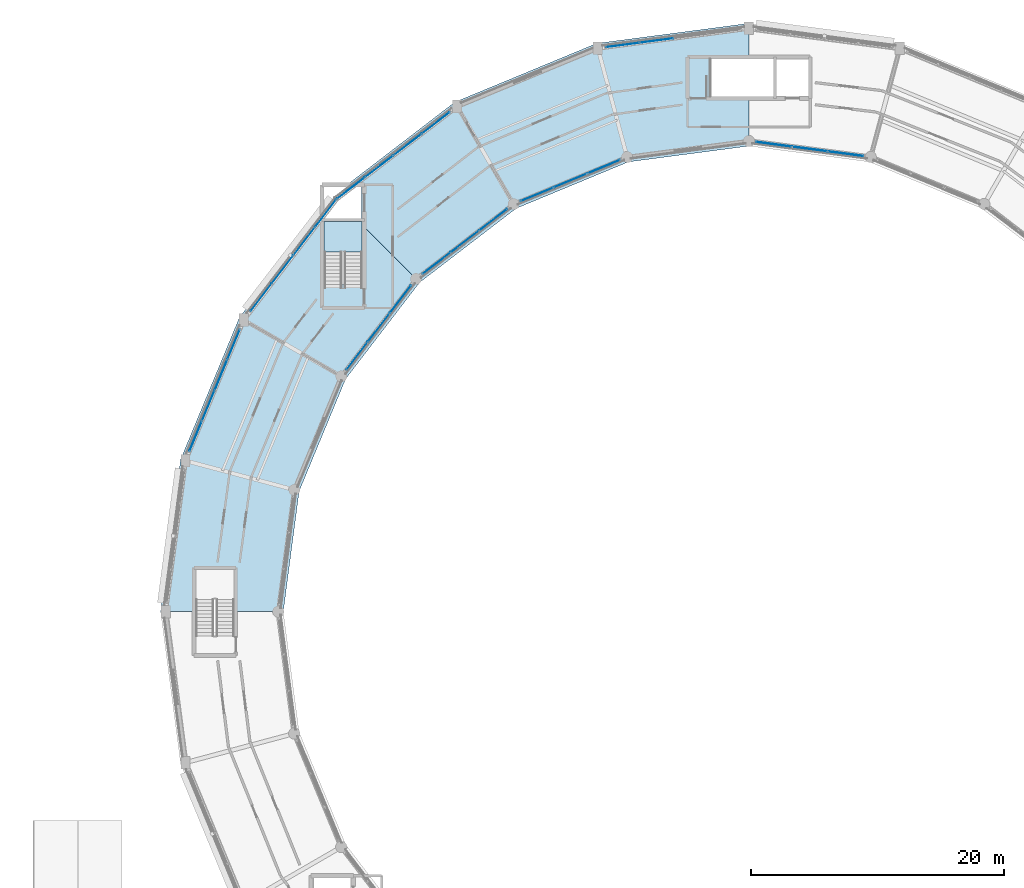
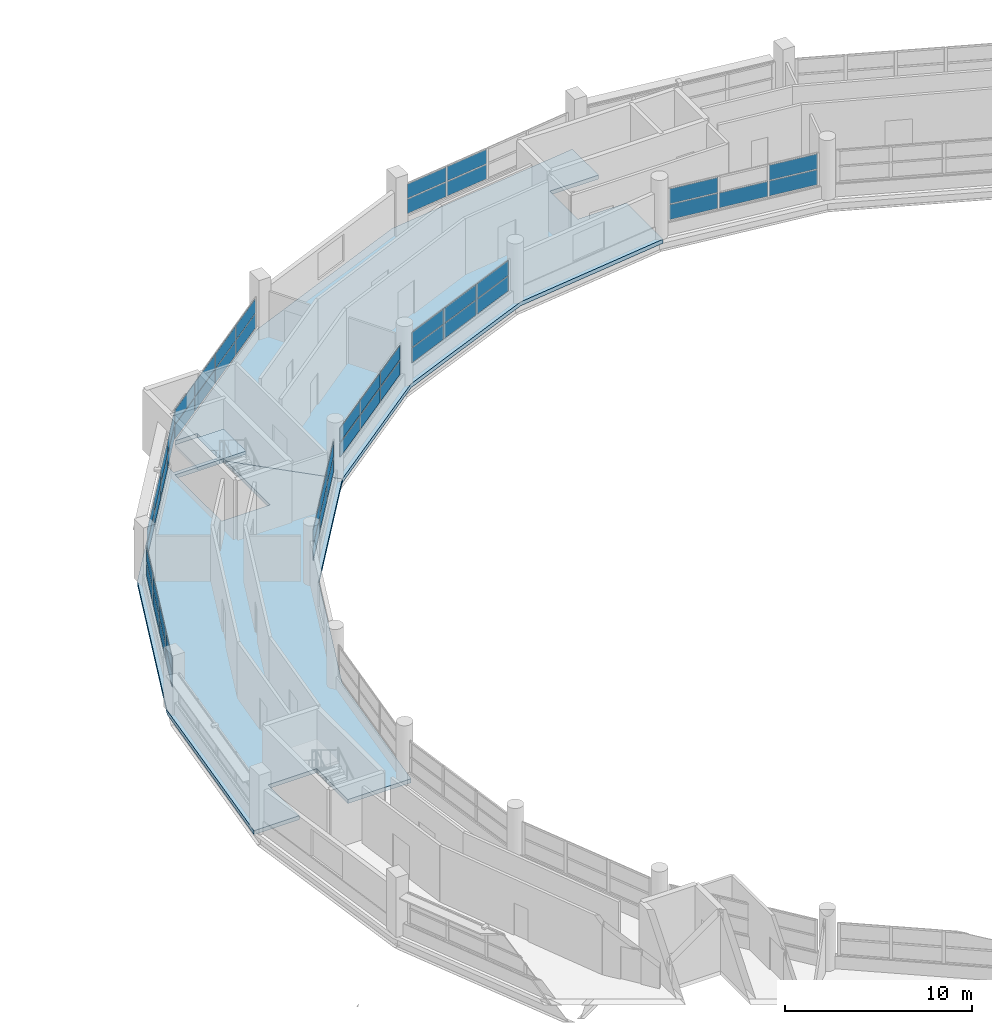
# One storey, part 43 of 53: 51 plates, 3 slabs, 9 elements without a shape of their own.
"""IFC4 building model written with IfcOpenShell, lengths in metres."""

from ifc_helpers import new_model, si_unit, direction, frame, origin, origin_2d, place, context, subcontext, project, spatial, polyline, rectangle, outline, extrude, material, layer, layer_set, type_object, element, aggregate, save


model = new_model("IFC4")

# Units and contexts
model_context = context("Model", 3, precision=1e-05, world=origin(), true_north=direction((0.0, 1.0)))
body_context = subcontext(model_context, "Body", "Model", "MODEL_VIEW")
ifc_project = project(units=[si_unit("LENGTHUNIT", "METRE"), si_unit("AREAUNIT", "SQUARE_METRE"), si_unit("VOLUMEUNIT", "CUBIC_METRE"), si_unit("PLANEANGLEUNIT", "RADIAN"), si_unit("MASSUNIT", "GRAM", prefix="KILO")], contexts=[model_context])

# Site, building, storey
site_placement = place(None, origin())
site = spatial("IfcSite", under=ifc_project, at=site_placement, CompositionType="ELEMENT")
building_placement = place(site_placement, origin())
building = spatial("IfcBuilding", under=site, at=building_placement, Name="Vespera Passage Community Centre", CompositionType="ELEMENT")
storey_placement = place(building_placement, frame((0.0, 0.0, 20.39990234375)))
storey = spatial("IfcBuildingStorey", under=building, at=storey_placement, Name="L05", CompositionType="ELEMENT", Elevation=20.39990234375)

# Curtain wall, plates
ifc_material_1 = material(Name="Anodized aluminium 6063-T6", Category="aluminium")
ifc_layer_1 = layer(ifc_material_1, 0.159912109375)
ifc_layer_set_1 = layer_set([ifc_layer_1], Name="Anodized aluminium 6063-T6")
curtain_wall_type_1 = type_object("IfcCurtainWallType", Name="CW-75E", PredefinedType="NOTDEFINED", material=ifc_layer_set_1)
curtain_wall_1_placement = place(storey_placement, origin())
curtain_wall_1 = element("IfcCurtainWall", 1, at=curtain_wall_1_placement, inside=storey, type_object=curtain_wall_type_1, Name="V4 L05 Outer Ribbon Curtain Wall 6", PredefinedType="NOTDEFINED")
ifc_material_2 = material(Name="Low-E insulated vision glass", Category="glass")
ifc_layer_2 = layer(ifc_material_2, 0.02001953125)
ifc_layer_set_2 = layer_set([ifc_layer_2], Name="Low-E insulated vision glass")
plate_type_1 = type_object("IfcPlateType", Name="PL-CWP-20E", PredefinedType="CURTAIN_PANEL", material=ifc_layer_set_2)
plate_1_placement = place(storey_placement, frame((68.01708984375, 110.28564453125, 0.8798828125), z_axis=(0.0, 0.0, 1.0), x_axis=(0.991444252276, 0.130530818696, 0.0)))
plate_1 = element("IfcPlate", 2, at=plate_1_placement, type_object=plate_type_1, Name="CW-75E panel 1.1", PredefinedType="CURTAIN_PANEL", context=body_context, shape_type="SweptSolid", body=[
    extrude(rectangle(XDim=2.614501953125, YDim=0.02001953125, at=origin_2d()), origin(), (0.0, 0.0, 1.0), 0.932861328125),
])
plate_2_placement = place(storey_placement, frame((68.01708984375, 110.28564453125, 1.873046875), z_axis=(0.0, 0.0, 1.0), x_axis=(0.991444252276, 0.130530818696, 0.0)))
plate_2 = element("IfcPlate", 3, at=plate_2_placement, type_object=plate_type_1, Name="CW-75E panel 1.2", PredefinedType="CURTAIN_PANEL", context=body_context, shape_type="SweptSolid", body=[
    extrude(rectangle(XDim=2.614501953125, YDim=0.02001953125, at=origin_2d()), origin(), (0.0, 0.0, 1.0), 0.932861328125),
])
plate_3_placement = place(storey_placement, frame((70.689697265625, 110.6376953125, 0.8798828125), z_axis=(0.0, 0.0, 1.0), x_axis=(0.991444252276, 0.130530818696, 0.0)))
plate_3 = element("IfcPlate", 4, at=plate_3_placement, type_object=plate_type_1, Name="CW-75E panel 2.1", PredefinedType="CURTAIN_PANEL", context=body_context, shape_type="SweptSolid", body=[
    extrude(rectangle(XDim=2.64697265625, YDim=0.02001953125, at=origin_2d()), origin(), (0.0, 0.0, 1.0), 0.932861328125),
])
plate_4_placement = place(storey_placement, frame((70.689697265625, 110.6376953125, 1.873046875), z_axis=(0.0, 0.0, 1.0), x_axis=(0.991444252276, 0.130530818696, 0.0)))
plate_4 = element("IfcPlate", 5, at=plate_4_placement, type_object=plate_type_1, Name="CW-75E panel 2.2", PredefinedType="CURTAIN_PANEL", context=body_context, shape_type="SweptSolid", body=[
    extrude(rectangle(XDim=2.64697265625, YDim=0.02001953125, at=origin_2d()), origin(), (0.0, 0.0, 1.0), 0.932861328125),
])
aggregate(curtain_wall_1, [plate_1, plate_2, plate_3, plate_4])

ifc_material_3 = material(Name="Anodized aluminium 6063-T6", Category="aluminium")
ifc_layer_3 = layer(ifc_material_3, 0.159912109375)
ifc_layer_set_3 = layer_set([ifc_layer_3], Name="Anodized aluminium 6063-T6")
curtain_wall_type_2 = type_object("IfcCurtainWallType", Name="CW-62E", PredefinedType="NOTDEFINED", material=ifc_layer_set_3)
curtain_wall_2_placement = place(storey_placement, origin())
curtain_wall_2 = element("IfcCurtainWall", 6, at=curtain_wall_2_placement, inside=storey, type_object=curtain_wall_type_2, Name="V4 L05 Outer Ribbon Curtain Wall 9", PredefinedType="NOTDEFINED")
plate_5_placement = place(storey_placement, frame((39.444580078125, 90.333251953125, 0.919921875), z_axis=(0.0, 0.0, 1.0), x_axis=(0.608765222978, 0.793350429062, 0.0)))
plate_5 = element("IfcPlate", 7, at=plate_5_placement, type_object=plate_type_1, Name="CW-62E panel 1.1", PredefinedType="CURTAIN_PANEL", context=body_context, shape_type="SweptSolid", body=[
    extrude(rectangle(XDim=2.703369140625, YDim=0.02001953125, at=origin_2d()), origin(), (0.0, 0.0, 1.0), 0.852783203125),
])
plate_6_placement = place(storey_placement, frame((39.444580078125, 90.333251953125, 1.873046875), z_axis=(0.0, 0.0, 1.0), x_axis=(0.608765222978, 0.793350429062, 0.0)))
plate_6 = element("IfcPlate", 8, at=plate_6_placement, type_object=plate_type_1, Name="CW-62E panel 1.2", PredefinedType="CURTAIN_PANEL", context=body_context, shape_type="SweptSolid", body=[
    extrude(rectangle(XDim=2.703369140625, YDim=0.02001953125, at=origin_2d()), origin(), (0.0, 0.0, 1.0), 0.852783203125),
])
plate_7_placement = place(storey_placement, frame((41.1396484375, 92.54248046875, 0.919921875), z_axis=(0.0, 0.0, 1.0), x_axis=(0.608765222978, 0.793350429062, 0.0)))
plate_7 = element("IfcPlate", 9, at=plate_7_placement, type_object=plate_type_1, Name="CW-62E panel 2.1", PredefinedType="CURTAIN_PANEL", context=body_context, shape_type="SweptSolid", body=[
    extrude(rectangle(XDim=2.73583984375, YDim=0.02001953125, at=origin_2d()), origin(), (0.0, 0.0, 1.0), 0.852783203125),
])
plate_8_placement = place(storey_placement, frame((41.1396484375, 92.54248046875, 1.873046875), z_axis=(0.0, 0.0, 1.0), x_axis=(0.608765222978, 0.793350429062, 0.0)))
plate_8 = element("IfcPlate", 10, at=plate_8_placement, type_object=plate_type_1, Name="CW-62E panel 2.2", PredefinedType="CURTAIN_PANEL", context=body_context, shape_type="SweptSolid", body=[
    extrude(rectangle(XDim=2.73583984375, YDim=0.02001953125, at=origin_2d()), origin(), (0.0, 0.0, 1.0), 0.852783203125),
])
plate_9_placement = place(storey_placement, frame((42.8447265625, 94.764404296875, 0.919921875), z_axis=(0.0, 0.0, 1.0), x_axis=(0.608765222978, 0.793350429062, 0.0)))
plate_9 = element("IfcPlate", 11, at=plate_9_placement, type_object=plate_type_1, Name="CW-62E panel 3.1", PredefinedType="CURTAIN_PANEL", context=body_context, shape_type="SweptSolid", body=[
    extrude(rectangle(XDim=2.73583984375, YDim=0.02001953125, at=origin_2d()), origin(), (0.0, 0.0, 1.0), 0.852783203125),
])
plate_10_placement = place(storey_placement, frame((42.8447265625, 94.764404296875, 1.873046875), z_axis=(0.0, 0.0, 1.0), x_axis=(0.608765222978, 0.793350429062, 0.0)))
plate_10 = element("IfcPlate", 12, at=plate_10_placement, type_object=plate_type_1, Name="CW-62E panel 3.2", PredefinedType="CURTAIN_PANEL", context=body_context, shape_type="SweptSolid", body=[
    extrude(rectangle(XDim=2.73583984375, YDim=0.02001953125, at=origin_2d()), origin(), (0.0, 0.0, 1.0), 0.852783203125),
])
plate_11_placement = place(storey_placement, frame((44.5400390625, 96.9736328125, 0.919921875), z_axis=(0.0, 0.0, 1.0), x_axis=(0.608765222978, 0.793350429062, 0.0)))
plate_11 = element("IfcPlate", 13, at=plate_11_placement, type_object=plate_type_1, Name="CW-62E panel 4.1", PredefinedType="CURTAIN_PANEL", context=body_context, shape_type="SweptSolid", body=[
    extrude(rectangle(XDim=2.703369140625, YDim=0.02001953125, at=origin_2d()), origin(), (0.0, 0.0, 1.0), 0.852783203125),
])
plate_12_placement = place(storey_placement, frame((44.5400390625, 96.9736328125, 1.873046875), z_axis=(0.0, 0.0, 1.0), x_axis=(0.608765222978, 0.793350429062, 0.0)))
plate_12 = element("IfcPlate", 14, at=plate_12_placement, type_object=plate_type_1, Name="CW-62E panel 4.2", PredefinedType="CURTAIN_PANEL", context=body_context, shape_type="SweptSolid", body=[
    extrude(rectangle(XDim=2.703369140625, YDim=0.02001953125, at=origin_2d()), origin(), (0.0, 0.0, 1.0), 0.852783203125),
])
aggregate(curtain_wall_2, [plate_5, plate_6, plate_7, plate_8, plate_9, plate_10, plate_11, plate_12])

ifc_material_4 = material(Name="Anodized aluminium 6063-T6", Category="aluminium")
ifc_layer_4 = layer(ifc_material_4, 0.159912109375)
ifc_layer_set_4 = layer_set([ifc_layer_4], Name="Anodized aluminium 6063-T6")
curtain_wall_type_3 = type_object("IfcCurtainWallType", Name="CW-54E", PredefinedType="NOTDEFINED", material=ifc_layer_set_4)
curtain_wall_3_placement = place(storey_placement, origin())
curtain_wall_3 = element("IfcCurtainWall", 15, at=curtain_wall_3_placement, inside=storey, type_object=curtain_wall_type_3, Name="V4 L05 Inner Court Curtain Wall 9", PredefinedType="NOTDEFINED")
plate_13_placement = place(storey_placement, frame((50.458251953125, 90.191650390625, 0.880126953125), z_axis=(0.0, 0.0, 1.0), x_axis=(-0.608755087843, -0.793358205999, 0.0)))
plate_13 = element("IfcPlate", 16, at=plate_13_placement, type_object=plate_type_1, Name="CW-54E panel 1.1", PredefinedType="CURTAIN_PANEL", context=body_context, shape_type="SweptSolid", body=[
    extrude(rectangle(XDim=2.72900390625, YDim=0.02001953125, at=origin_2d()), origin(), (0.0, 0.0, 1.0), 0.95458984375),
])
plate_14_placement = place(storey_placement, frame((50.458251953125, 90.191650390625, 1.894775390625), z_axis=(0.0, 0.0, 1.0), x_axis=(-0.608755087843, -0.793358205999, 0.0)))
plate_14 = element("IfcPlate", 17, at=plate_14_placement, type_object=plate_type_1, Name="CW-54E panel 1.2", PredefinedType="CURTAIN_PANEL", context=body_context, shape_type="SweptSolid", body=[
    extrude(rectangle(XDim=2.72900390625, YDim=0.02001953125, at=origin_2d()), origin(), (0.0, 0.0, 1.0), 0.95458984375),
])
plate_15_placement = place(storey_placement, frame((48.73974609375, 87.9521484375, 0.880126953125), z_axis=(0.0, 0.0, 1.0), x_axis=(-0.608755087843, -0.793358205999, 0.0)))
plate_15 = element("IfcPlate", 18, at=plate_15_placement, type_object=plate_type_1, Name="CW-54E panel 2.1", PredefinedType="CURTAIN_PANEL", context=body_context, shape_type="SweptSolid", body=[
    extrude(rectangle(XDim=2.7666015625, YDim=0.02001953125, at=origin_2d()), origin(), (0.0, 0.0, 1.0), 0.95458984375),
])
plate_16_placement = place(storey_placement, frame((48.73974609375, 87.9521484375, 1.894775390625), z_axis=(0.0, 0.0, 1.0), x_axis=(-0.608755087843, -0.793358205999, 0.0)))
plate_16 = element("IfcPlate", 19, at=plate_16_placement, type_object=plate_type_1, Name="CW-54E panel 2.2", PredefinedType="CURTAIN_PANEL", context=body_context, shape_type="SweptSolid", body=[
    extrude(rectangle(XDim=2.7666015625, YDim=0.02001953125, at=origin_2d()), origin(), (0.0, 0.0, 1.0), 0.95458984375),
])
plate_17_placement = place(storey_placement, frame((47.021240234375, 85.712646484375, 0.880126953125), z_axis=(0.0, 0.0, 1.0), x_axis=(-0.608755087843, -0.793358205999, 0.0)))
plate_17 = element("IfcPlate", 20, at=plate_17_placement, type_object=plate_type_1, Name="CW-54E panel 3.1", PredefinedType="CURTAIN_PANEL", context=body_context, shape_type="SweptSolid", body=[
    extrude(rectangle(XDim=2.72900390625, YDim=0.02001953125, at=origin_2d()), origin(), (0.0, 0.0, 1.0), 0.95458984375),
])
plate_18_placement = place(storey_placement, frame((47.021240234375, 85.712646484375, 1.894775390625), z_axis=(0.0, 0.0, 1.0), x_axis=(-0.608755087843, -0.793358205999, 0.0)))
plate_18 = element("IfcPlate", 21, at=plate_18_placement, type_object=plate_type_1, Name="CW-54E panel 3.2", PredefinedType="CURTAIN_PANEL", context=body_context, shape_type="SweptSolid", body=[
    extrude(rectangle(XDim=2.72900390625, YDim=0.02001953125, at=origin_2d()), origin(), (0.0, 0.0, 1.0), 0.95458984375),
])
aggregate(curtain_wall_3, [plate_13, plate_14, plate_15, plate_16, plate_17, plate_18])

ifc_material_5 = material(Name="Anodized aluminium 6063-T6", Category="aluminium")
ifc_layer_5 = layer(ifc_material_5, 0.159912109375)
ifc_layer_set_5 = layer_set([ifc_layer_5], Name="Anodized aluminium 6063-T6")
curtain_wall_type_4 = type_object("IfcCurtainWallType", Name="CW-56E", PredefinedType="NOTDEFINED", material=ifc_layer_set_5)
curtain_wall_4_placement = place(storey_placement, origin())
curtain_wall_4 = element("IfcCurtainWall", 22, at=curtain_wall_4_placement, inside=storey, type_object=curtain_wall_type_4, Name="V4 L05 Inner Court Curtain Wall 7", PredefinedType="NOTDEFINED")
ifc_material_6 = material(Name="Low-E insulated vision glass", Category="glass")
ifc_layer_6 = layer(ifc_material_6, 0.028076171875)
ifc_layer_set_6 = layer_set([ifc_layer_6], Name="Low-E insulated vision glass")
plate_type_2 = type_object("IfcPlateType", Name="PL-CWP-28E", PredefinedType="CURTAIN_PANEL", material=ifc_layer_set_6)
plate_19_placement = place(storey_placement, frame((66.52685546875, 100.668212890625, 0.880126953125), z_axis=(0.0, 0.0, 1.0), x_axis=(-0.923876620096, -0.382690463482, 0.0)))
plate_19 = element("IfcPlate", 23, at=plate_19_placement, type_object=plate_type_2, Name="CW-56E panel 1.1", PredefinedType="CURTAIN_PANEL", context=body_context, shape_type="SweptSolid", body=[
    extrude(rectangle(XDim=2.7646484375, YDim=0.028076171875, at=origin_2d()), origin(), (0.0, 0.0, 1.0), 0.95458984375),
])
plate_20_placement = place(storey_placement, frame((66.52685546875, 100.668212890625, 1.894775390625), z_axis=(0.0, 0.0, 1.0), x_axis=(-0.923876620096, -0.382690463482, 0.0)))
plate_20 = element("IfcPlate", 24, at=plate_20_placement, type_object=plate_type_2, Name="CW-56E panel 1.2", PredefinedType="CURTAIN_PANEL", context=body_context, shape_type="SweptSolid", body=[
    extrude(rectangle(XDim=2.7646484375, YDim=0.028076171875, at=origin_2d()), origin(), (0.0, 0.0, 1.0), 0.95458984375),
])
plate_21_placement = place(storey_placement, frame((63.885986328125, 99.57421875, 0.880126953125), z_axis=(0.0, 0.0, 1.0), x_axis=(-0.923876620096, -0.382690463482, 0.0)))
plate_21 = element("IfcPlate", 25, at=plate_21_placement, type_object=plate_type_2, Name="CW-56E panel 2.1", PredefinedType="CURTAIN_PANEL", context=body_context, shape_type="SweptSolid", body=[
    extrude(rectangle(XDim=2.80224609375, YDim=0.028076171875, at=origin_2d()), origin(), (0.0, 0.0, 1.0), 0.95458984375),
])
plate_22_placement = place(storey_placement, frame((63.885986328125, 99.57421875, 1.894775390625), z_axis=(0.0, 0.0, 1.0), x_axis=(-0.923876620096, -0.382690463482, 0.0)))
plate_22 = element("IfcPlate", 26, at=plate_22_placement, type_object=plate_type_2, Name="CW-56E panel 2.2", PredefinedType="CURTAIN_PANEL", context=body_context, shape_type="SweptSolid", body=[
    extrude(rectangle(XDim=2.80224609375, YDim=0.028076171875, at=origin_2d()), origin(), (0.0, 0.0, 1.0), 0.95458984375),
])
plate_23_placement = place(storey_placement, frame((61.2451171875, 98.480224609375, 0.880126953125), z_axis=(0.0, 0.0, 1.0), x_axis=(-0.923876620096, -0.382690463482, 0.0)))
plate_23 = element("IfcPlate", 27, at=plate_23_placement, type_object=plate_type_2, Name="CW-56E panel 3.1", PredefinedType="CURTAIN_PANEL", context=body_context, shape_type="SweptSolid", body=[
    extrude(rectangle(XDim=2.7646484375, YDim=0.028076171875, at=origin_2d()), origin(), (0.0, 0.0, 1.0), 0.95458984375),
])
plate_24_placement = place(storey_placement, frame((61.2451171875, 98.480224609375, 1.894775390625), z_axis=(0.0, 0.0, 1.0), x_axis=(-0.923876620096, -0.382690463482, 0.0)))
plate_24 = element("IfcPlate", 28, at=plate_24_placement, type_object=plate_type_2, Name="CW-56E panel 3.2", PredefinedType="CURTAIN_PANEL", context=body_context, shape_type="SweptSolid", body=[
    extrude(rectangle(XDim=2.7646484375, YDim=0.028076171875, at=origin_2d()), origin(), (0.0, 0.0, 1.0), 0.95458984375),
])
aggregate(curtain_wall_4, [plate_19, plate_20, plate_21, plate_22, plate_23, plate_24])

ifc_material_7 = material(Name="Anodized aluminium 6063-T6", Category="aluminium")
ifc_layer_7 = layer(ifc_material_7, 0.159912109375)
ifc_layer_set_7 = layer_set([ifc_layer_7], Name="Anodized aluminium 6063-T6")
curtain_wall_type_5 = type_object("IfcCurtainWallType", Name="CW-65E", PredefinedType="NOTDEFINED", material=ifc_layer_set_7)
curtain_wall_5_placement = place(storey_placement, origin())
curtain_wall_5 = element("IfcCurtainWall", 29, at=curtain_wall_5_placement, inside=storey, type_object=curtain_wall_type_5, Name="V4 L05 Outer Ribbon Curtain Wall 10", PredefinedType="NOTDEFINED")
plate_25_placement = place(storey_placement, frame((34.270751953125, 79.36279296875, 0.8798828125), z_axis=(0.0, 0.0, 1.0), x_axis=(0.382679142535, 0.923881309405, 0.0)))
plate_25 = element("IfcPlate", 30, at=plate_25_placement, type_object=plate_type_2, Name="CW-65E panel 1.1", PredefinedType="CURTAIN_PANEL", context=body_context, shape_type="SweptSolid", body=[
    extrude(rectangle(XDim=2.51806640625, YDim=0.028076171875, at=origin_2d()), origin(), (0.0, 0.0, 1.0), 0.912841796875),
])
plate_26_placement = place(storey_placement, frame((34.270751953125, 79.36279296875, 1.85302734375), z_axis=(0.0, 0.0, 1.0), x_axis=(0.382679142535, 0.923881309405, 0.0)))
plate_26 = element("IfcPlate", 31, at=plate_26_placement, type_object=plate_type_2, Name="CW-65E panel 1.2", PredefinedType="CURTAIN_PANEL", context=body_context, shape_type="SweptSolid", body=[
    extrude(rectangle(XDim=2.51806640625, YDim=0.028076171875, at=origin_2d()), origin(), (0.0, 0.0, 1.0), 0.912841796875),
])
plate_27_placement = place(storey_placement, frame((35.270263671875, 81.775634765625, 0.8798828125), z_axis=(0.0, 0.0, 1.0), x_axis=(0.382679142535, 0.923881309405, 0.0)))
plate_27 = element("IfcPlate", 32, at=plate_27_placement, type_object=plate_type_2, Name="CW-65E panel 2.1", PredefinedType="CURTAIN_PANEL", context=body_context, shape_type="SweptSolid", body=[
    extrude(rectangle(XDim=2.555419921875, YDim=0.028076171875, at=origin_2d()), origin(), (0.0, 0.0, 1.0), 0.912841796875),
])
plate_28_placement = place(storey_placement, frame((35.270263671875, 81.775634765625, 1.85302734375), z_axis=(0.0, 0.0, 1.0), x_axis=(0.382679142535, 0.923881309405, 0.0)))
plate_28 = element("IfcPlate", 33, at=plate_28_placement, type_object=plate_type_2, Name="CW-65E panel 2.2", PredefinedType="CURTAIN_PANEL", context=body_context, shape_type="SweptSolid", body=[
    extrude(rectangle(XDim=2.555419921875, YDim=0.028076171875, at=origin_2d()), origin(), (0.0, 0.0, 1.0), 0.912841796875),
])
plate_29_placement = place(storey_placement, frame((36.27685546875, 84.2060546875, 0.8798828125), z_axis=(0.0, 0.0, 1.0), x_axis=(0.382679142535, 0.923881309405, 0.0)))
plate_29 = element("IfcPlate", 34, at=plate_29_placement, type_object=plate_type_2, Name="CW-65E panel 3.1", PredefinedType="CURTAIN_PANEL", context=body_context, shape_type="SweptSolid", body=[
    extrude(rectangle(XDim=2.555419921875, YDim=0.028076171875, at=origin_2d()), origin(), (0.0, 0.0, 1.0), 0.912841796875),
])
plate_30_placement = place(storey_placement, frame((36.27685546875, 84.2060546875, 1.85302734375), z_axis=(0.0, 0.0, 1.0), x_axis=(0.382679142535, 0.923881309405, 0.0)))
plate_30 = element("IfcPlate", 35, at=plate_30_placement, type_object=plate_type_2, Name="CW-65E panel 3.2", PredefinedType="CURTAIN_PANEL", context=body_context, shape_type="SweptSolid", body=[
    extrude(rectangle(XDim=2.555419921875, YDim=0.028076171875, at=origin_2d()), origin(), (0.0, 0.0, 1.0), 0.912841796875),
])
plate_31_placement = place(storey_placement, frame((37.2763671875, 86.618896484375, 0.8798828125), z_axis=(0.0, 0.0, 1.0), x_axis=(0.382679142535, 0.923881309405, 0.0)))
plate_31 = element("IfcPlate", 36, at=plate_31_placement, type_object=plate_type_2, Name="CW-65E panel 4.1", PredefinedType="CURTAIN_PANEL", context=body_context, shape_type="SweptSolid", body=[
    extrude(rectangle(XDim=2.51806640625, YDim=0.028076171875, at=origin_2d()), origin(), (0.0, 0.0, 1.0), 0.912841796875),
])
plate_32_placement = place(storey_placement, frame((37.2763671875, 86.618896484375, 1.85302734375), z_axis=(0.0, 0.0, 1.0), x_axis=(0.382679142535, 0.923881309405, 0.0)))
plate_32 = element("IfcPlate", 37, at=plate_32_placement, type_object=plate_type_2, Name="CW-65E panel 4.2", PredefinedType="CURTAIN_PANEL", context=body_context, shape_type="SweptSolid", body=[
    extrude(rectangle(XDim=2.51806640625, YDim=0.028076171875, at=origin_2d()), origin(), (0.0, 0.0, 1.0), 0.912841796875),
])
aggregate(curtain_wall_5, [plate_25, plate_26, plate_27, plate_28, plate_29, plate_30, plate_31, plate_32])

ifc_material_8 = material(Name="Anodized aluminium 6063-T6", Category="aluminium")
ifc_layer_8 = layer(ifc_material_8, 0.159912109375)
ifc_layer_set_8 = layer_set([ifc_layer_8], Name="Anodized aluminium 6063-T6")
curtain_wall_type_6 = type_object("IfcCurtainWallType", Name="CW-74E", PredefinedType="NOTDEFINED", material=ifc_layer_set_8)
curtain_wall_6_placement = place(storey_placement, origin())
curtain_wall_6 = element("IfcCurtainWall", 38, at=curtain_wall_6_placement, inside=storey, type_object=curtain_wall_type_6, Name="V4 L05 Inner Court Curtain Wall 5", PredefinedType="NOTDEFINED")
ifc_material_9 = material(Name="Acoustic triple-glazed vision glass", Category="glass")
ifc_layer_9 = layer(ifc_material_9, 0.035888671875)
ifc_layer_set_9 = layer_set([ifc_layer_9], Name="Acoustic triple-glazed vision glass")
plate_type_3 = type_object("IfcPlateType", Name="PL-CWP-36E", PredefinedType="CURTAIN_PANEL", material=ifc_layer_set_9)
plate_33_placement = place(storey_placement, frame((85.665283203125, 101.69091796875, 0.880126953125), z_axis=(0.0, 0.0, 1.0), x_axis=(-0.991445387728, 0.1305221941, 0.0)))
plate_33 = element("IfcPlate", 39, at=plate_33_placement, type_object=plate_type_3, Name="CW-74E panel 1.1", PredefinedType="CURTAIN_PANEL", context=body_context, shape_type="SweptSolid", body=[
    extrude(rectangle(XDim=2.79443359375, YDim=0.035888671875, at=origin_2d()), origin(), (0.0, 0.0, 1.0), 0.974609375),
])
plate_34_placement = place(storey_placement, frame((85.665283203125, 101.69091796875, 1.91455078125), z_axis=(0.0, 0.0, 1.0), x_axis=(-0.991445387728, 0.1305221941, 0.0)))
plate_34 = element("IfcPlate", 40, at=plate_34_placement, type_object=plate_type_3, Name="CW-74E panel 1.2", PredefinedType="CURTAIN_PANEL", context=body_context, shape_type="SweptSolid", body=[
    extrude(rectangle(XDim=2.79443359375, YDim=0.035888671875, at=origin_2d()), origin(), (0.0, 0.0, 1.0), 0.974853515625),
])
plate_35_placement = place(storey_placement, frame((82.81396484375, 102.066162109375, 0.880126953125), z_axis=(0.0, 0.0, 1.0), x_axis=(-0.991445387728, 0.1305221941, 0.0)))
plate_35 = element("IfcPlate", 41, at=plate_35_placement, type_object=plate_type_3, Name="CW-74E panel 2.1", PredefinedType="CURTAIN_PANEL", context=body_context, shape_type="SweptSolid", body=[
    extrude(rectangle(XDim=2.826904296875, YDim=0.035888671875, at=origin_2d()), origin(), (0.0, 0.0, 1.0), 0.974609375),
])
plate_36_placement = place(storey_placement, frame((79.962890625, 102.441650390625, 0.880126953125), z_axis=(0.0, 0.0, 1.0), x_axis=(-0.991445387728, 0.1305221941, 0.0)))
plate_36 = element("IfcPlate", 42, at=plate_36_placement, type_object=plate_type_3, Name="CW-74E panel 3.1", PredefinedType="CURTAIN_PANEL", context=body_context, shape_type="SweptSolid", body=[
    extrude(rectangle(XDim=2.79443359375, YDim=0.035888671875, at=origin_2d()), origin(), (0.0, 0.0, 1.0), 0.974609375),
])
plate_37_placement = place(storey_placement, frame((79.962890625, 102.441650390625, 1.91455078125), z_axis=(0.0, 0.0, 1.0), x_axis=(-0.991445387728, 0.1305221941, 0.0)))
plate_37 = element("IfcPlate", 43, at=plate_37_placement, type_object=plate_type_3, Name="CW-74E panel 3.2", PredefinedType="CURTAIN_PANEL", context=body_context, shape_type="SweptSolid", body=[
    extrude(rectangle(XDim=2.79443359375, YDim=0.035888671875, at=origin_2d()), origin(), (0.0, 0.0, 1.0), 0.974853515625),
])
aggregate(curtain_wall_6, [plate_33, plate_34, plate_35, plate_36, plate_37])

ifc_material_10 = material(Name="Anodized aluminium 6063-T6", Category="aluminium")
ifc_layer_10 = layer(ifc_material_10, 0.159912109375)
ifc_layer_set_10 = layer_set([ifc_layer_10], Name="Anodized aluminium 6063-T6")
curtain_wall_type_7 = type_object("IfcCurtainWallType", Name="CW-61E", PredefinedType="NOTDEFINED", material=ifc_layer_set_10)
curtain_wall_7_placement = place(storey_placement, origin())
curtain_wall_7 = element("IfcCurtainWall", 44, at=curtain_wall_7_placement, inside=storey, type_object=curtain_wall_type_7, Name="V4 L05 Inner Court Curtain Wall 8", PredefinedType="NOTDEFINED")
plate_38_placement = place(storey_placement, frame((57.789306640625, 96.480224609375, 0.919921875), z_axis=(0.0, 0.0, 1.0), x_axis=(-0.793358205999, -0.608755087843, 0.0)))
plate_38 = element("IfcPlate", 45, at=plate_38_placement, type_object=plate_type_3, Name="CW-61E panel 1.1", PredefinedType="CURTAIN_PANEL", context=body_context, shape_type="SweptSolid", body=[
    extrude(rectangle(XDim=2.744140625, YDim=0.035888671875, at=origin_2d()), origin(), (0.0, 0.0, 1.0), 0.894775390625),
])
plate_39_placement = place(storey_placement, frame((57.789306640625, 96.480224609375, 1.91455078125), z_axis=(0.0, 0.0, 1.0), x_axis=(-0.793358205999, -0.608755087843, 0.0)))
plate_39 = element("IfcPlate", 46, at=plate_39_placement, type_object=plate_type_3, Name="CW-61E panel 1.2", PredefinedType="CURTAIN_PANEL", context=body_context, shape_type="SweptSolid", body=[
    extrude(rectangle(XDim=2.744140625, YDim=0.035888671875, at=origin_2d()), origin(), (0.0, 0.0, 1.0), 0.894775390625),
])
plate_40_placement = place(storey_placement, frame((55.5478515625, 94.76025390625, 0.919921875), z_axis=(0.0, 0.0, 1.0), x_axis=(-0.793358205999, -0.608755087843, 0.0)))
plate_40 = element("IfcPlate", 47, at=plate_40_placement, type_object=plate_type_3, Name="CW-61E panel 2.1", PredefinedType="CURTAIN_PANEL", context=body_context, shape_type="SweptSolid", body=[
    extrude(rectangle(XDim=2.776611328125, YDim=0.035888671875, at=origin_2d()), origin(), (0.0, 0.0, 1.0), 0.894775390625),
])
plate_41_placement = place(storey_placement, frame((55.5478515625, 94.76025390625, 1.91455078125), z_axis=(0.0, 0.0, 1.0), x_axis=(-0.793358205999, -0.608755087843, 0.0)))
plate_41 = element("IfcPlate", 48, at=plate_41_placement, type_object=plate_type_3, Name="CW-61E panel 2.2", PredefinedType="CURTAIN_PANEL", context=body_context, shape_type="SweptSolid", body=[
    extrude(rectangle(XDim=2.776611328125, YDim=0.035888671875, at=origin_2d()), origin(), (0.0, 0.0, 1.0), 0.894775390625),
])
plate_42_placement = place(storey_placement, frame((53.306396484375, 93.040283203125, 0.919921875), z_axis=(0.0, 0.0, 1.0), x_axis=(-0.793358205999, -0.608755087843, 0.0)))
plate_42 = element("IfcPlate", 49, at=plate_42_placement, type_object=plate_type_3, Name="CW-61E panel 3.1", PredefinedType="CURTAIN_PANEL", context=body_context, shape_type="SweptSolid", body=[
    extrude(rectangle(XDim=2.744140625, YDim=0.035888671875, at=origin_2d()), origin(), (0.0, 0.0, 1.0), 0.894775390625),
])
plate_43_placement = place(storey_placement, frame((53.306396484375, 93.040283203125, 1.91455078125), z_axis=(0.0, 0.0, 1.0), x_axis=(-0.793358205999, -0.608755087843, 0.0)))
plate_43 = element("IfcPlate", 50, at=plate_43_placement, type_object=plate_type_3, Name="CW-61E panel 3.2", PredefinedType="CURTAIN_PANEL", context=body_context, shape_type="SweptSolid", body=[
    extrude(rectangle(XDim=2.744140625, YDim=0.035888671875, at=origin_2d()), origin(), (0.0, 0.0, 1.0), 0.894775390625),
])
aggregate(curtain_wall_7, [plate_38, plate_39, plate_40, plate_41, plate_42, plate_43])

ifc_material_11 = material(Name="Anodized aluminium 6063-T6", Category="aluminium")
ifc_layer_11 = layer(ifc_material_11, 0.159912109375)
ifc_layer_set_11 = layer_set([ifc_layer_11], Name="Anodized aluminium 6063-T6")
curtain_wall_type_8 = type_object("IfcCurtainWallType", Name="CW-60E", PredefinedType="NOTDEFINED", material=ifc_layer_set_11)
curtain_wall_8_placement = place(storey_placement, origin())
curtain_wall_8 = element("IfcCurtainWall", 51, at=curtain_wall_8_placement, inside=storey, type_object=curtain_wall_type_8, Name="V4 L05 Outer Ribbon Curtain Wall 8", PredefinedType="NOTDEFINED")
ifc_material_12 = material(Name="Translucent glass block", Category="glass")
ifc_layer_12 = layer(ifc_material_12, 0.044921875)
ifc_layer_set_12 = layer_set([ifc_layer_12], Name="Translucent glass block")
plate_type_4 = type_object("IfcPlateType", Name="PL-CWP-45E", PredefinedType="CURTAIN_PANEL", material=ifc_layer_set_12)
plate_44_placement = place(storey_placement, frame((46.54248046875, 98.972412109375, 0.8798828125), z_axis=(0.0, 0.0, 1.0), x_axis=(0.793348128169, 0.608768221519, 0.0)))
plate_44 = element("IfcPlate", 52, at=plate_44_placement, type_object=plate_type_4, Name="CW-60E panel 1.1", PredefinedType="CURTAIN_PANEL", context=body_context, shape_type="SweptSolid", body=[
    extrude(rectangle(XDim=2.72412109375, YDim=0.044921875, at=origin_2d()), origin(), (0.0, 0.0, 1.0), 0.912841796875),
])
plate_45_placement = place(storey_placement, frame((46.54248046875, 98.972412109375, 1.85302734375), z_axis=(0.0, 0.0, 1.0), x_axis=(0.793348128169, 0.608768221519, 0.0)))
plate_45 = element("IfcPlate", 53, at=plate_45_placement, type_object=plate_type_4, Name="CW-60E panel 1.2", PredefinedType="CURTAIN_PANEL", context=body_context, shape_type="SweptSolid", body=[
    extrude(rectangle(XDim=2.72412109375, YDim=0.044921875, at=origin_2d()), origin(), (0.0, 0.0, 1.0), 0.912841796875),
])
plate_46_placement = place(storey_placement, frame((48.778076171875, 100.68798828125, 0.8798828125), z_axis=(0.0, 0.0, 1.0), x_axis=(0.793348128169, 0.608768221519, 0.0)))
plate_46 = element("IfcPlate", 54, at=plate_46_placement, type_object=plate_type_4, Name="CW-60E panel 2.1", PredefinedType="CURTAIN_PANEL", context=body_context, shape_type="SweptSolid", body=[
    extrude(rectangle(XDim=2.76171875, YDim=0.044921875, at=origin_2d()), origin(), (0.0, 0.0, 1.0), 0.912841796875),
])
plate_47_placement = place(storey_placement, frame((48.778076171875, 100.68798828125, 1.85302734375), z_axis=(0.0, 0.0, 1.0), x_axis=(0.793348128169, 0.608768221519, 0.0)))
plate_47 = element("IfcPlate", 55, at=plate_47_placement, type_object=plate_type_4, Name="CW-60E panel 2.2", PredefinedType="CURTAIN_PANEL", context=body_context, shape_type="SweptSolid", body=[
    extrude(rectangle(XDim=2.76171875, YDim=0.044921875, at=origin_2d()), origin(), (0.0, 0.0, 1.0), 0.912841796875),
])
plate_48_placement = place(storey_placement, frame((51.028564453125, 102.414794921875, 0.8798828125), z_axis=(0.0, 0.0, 1.0), x_axis=(0.793348128169, 0.608768221519, 0.0)))
plate_48 = element("IfcPlate", 56, at=plate_48_placement, type_object=plate_type_4, Name="CW-60E panel 3.1", PredefinedType="CURTAIN_PANEL", context=body_context, shape_type="SweptSolid", body=[
    extrude(rectangle(XDim=2.76171875, YDim=0.044921875, at=origin_2d()), origin(), (0.0, 0.0, 1.0), 0.912841796875),
])
plate_49_placement = place(storey_placement, frame((51.028564453125, 102.414794921875, 1.85302734375), z_axis=(0.0, 0.0, 1.0), x_axis=(0.793348128169, 0.608768221519, 0.0)))
plate_49 = element("IfcPlate", 57, at=plate_49_placement, type_object=plate_type_4, Name="CW-60E panel 3.2", PredefinedType="CURTAIN_PANEL", context=body_context, shape_type="SweptSolid", body=[
    extrude(rectangle(XDim=2.76171875, YDim=0.044921875, at=origin_2d()), origin(), (0.0, 0.0, 1.0), 0.912841796875),
])
plate_50_placement = place(storey_placement, frame((53.26416015625, 104.13037109375, 0.8798828125), z_axis=(0.0, 0.0, 1.0), x_axis=(0.793348128169, 0.608768221519, 0.0)))
plate_50 = element("IfcPlate", 58, at=plate_50_placement, type_object=plate_type_4, Name="CW-60E panel 4.1", PredefinedType="CURTAIN_PANEL", context=body_context, shape_type="SweptSolid", body=[
    extrude(rectangle(XDim=2.72412109375, YDim=0.044921875, at=origin_2d()), origin(), (0.0, 0.0, 1.0), 0.912841796875),
])
plate_51_placement = place(storey_placement, frame((53.26416015625, 104.13037109375, 1.85302734375), z_axis=(0.0, 0.0, 1.0), x_axis=(0.793348128169, 0.608768221519, 0.0)))
plate_51 = element("IfcPlate", 59, at=plate_51_placement, type_object=plate_type_4, Name="CW-60E panel 4.2", PredefinedType="CURTAIN_PANEL", context=body_context, shape_type="SweptSolid", body=[
    extrude(rectangle(XDim=2.72412109375, YDim=0.044921875, at=origin_2d()), origin(), (0.0, 0.0, 1.0), 0.912841796875),
])
aggregate(curtain_wall_8, [plate_44, plate_45, plate_46, plate_47, plate_48, plate_49, plate_50, plate_51])

# Stair, slab
ifc_material_13 = material(Name="Concrete f'c 35 MPa", Category="concrete")
stair_type = type_object("IfcStairType", Name="ST-T03", PredefinedType="HALF_TURN_STAIR", material=ifc_material_13)
stair_placement = place(storey_placement, origin())
stair = element("IfcStair", 60, at=stair_placement, inside=storey, type_object=stair_type, Name="L05 Core C1 Exit Stair ST03", PredefinedType="HALF_TURN_STAIR")
ifc_material_14 = material(Name="Concrete f'c 35 MPa", Category="concrete")
ifc_layer_13 = layer(ifc_material_14, 0.199951171875)
ifc_layer_set_13 = layer_set([ifc_layer_13], Name="Concrete f'c 35 MPa")
slab_type_1 = type_object("IfcSlabType", Name="SL-LAND-200I", PredefinedType="LANDING", material=ifc_layer_set_13)
slab_1_placement = place(storey_placement, frame((0.0, 0.0, 1.75)))
slab_1 = element("IfcSlab", 61, at=slab_1_placement, type_object=slab_type_1, Name="ST03 landing 1", PredefinedType="LANDING", context=body_context, shape_type="SweptSolid", body=[
    extrude(outline(polyline([(47.43310546875, 93.927978515625), (47.43310546875, 96.327880859375), (44.43310546875, 96.327880859375), (44.43310546875, 93.927978515625), (47.43310546875, 93.927978515625)])), origin(), (0.0, 0.0, 1.0), 0.2001953125),
])
aggregate(stair, [slab_1])

# Slabs
ifc_material_15 = material(Name="Concrete f'c 35 MPa", Category="concrete")
ifc_layer_14 = layer(ifc_material_15, 0.260009765625)
ifc_layer_set_14 = layer_set([ifc_layer_14], Name="Concrete f'c 35 MPa")
slab_type_2 = type_object("IfcSlabType", Name="SL-UPPER-260", PredefinedType="FLOOR", material=ifc_layer_set_14)
slab_2_placement = place(storey_placement, frame((0.0, 0.0, -0.260009765625)))
element("IfcSlab", 62, at=slab_2_placement, inside=storey, type_object=slab_type_2, Name="V4 L05 Interior Sector 2 Slab", PredefinedType="FLOOR", context=body_context, shape_type="SweptSolid", body=[
    extrude(outline(polyline([(65.96484375, 110.41552734375), (78.0, 112.0), (78.0, 109.199951171875), (74.985107421875, 109.199951171875), (74.985107421875, 106.199951171875), (78.0, 106.199951171875), (78.0, 102.300048828125), (68.4755859375, 101.046142578125), (59.60009765625, 97.36962890625), (51.978515625, 91.521484375), (47.43310546875, 96.06689453125), (47.43310546875, 96.327880859375), (47.172119140625, 96.327880859375), (46.931884765625, 96.568115234375), (47.383056640625, 96.568115234375), (47.383056640625, 99.068115234375), (46.015380859375, 99.068115234375), (54.75, 105.770263671875), (65.96484375, 110.41552734375)])), origin(), (0.0, 0.0, 1.0), 0.260009765625),
])
slab_3_placement = place(storey_placement, frame((0.0, 0.0, -0.260009765625)))
element("IfcSlab", 63, at=slab_3_placement, inside=storey, type_object=slab_type_2, Name="V4 L05 Interior Sector 3 Slab", PredefinedType="FLOOR", context=body_context, shape_type="SweptSolid", body=[
    extrude(outline(polyline([(42.453857421875, 75.0244140625), (41.199951171875, 65.5), (37.300048828125, 65.5), (37.300048828125, 68.824951171875), (34.300048828125, 68.824951171875), (34.300048828125, 65.5), (31.5, 65.5), (33.08447265625, 77.53515625), (37.729736328125, 88.75), (44.48291015625, 97.551025390625), (44.48291015625, 96.568115234375), (46.931884765625, 96.568115234375), (47.172119140625, 96.327880859375), (44.43310546875, 96.327880859375), (44.43310546875, 91.35791015625), (47.43310546875, 91.35791015625), (47.43310546875, 96.06689453125), (51.978515625, 91.521484375), (46.13037109375, 83.89990234375), (42.453857421875, 75.0244140625)])), origin(), (0.0, 0.0, 1.0), 0.260009765625),
])

save(model, "model.ifc")
